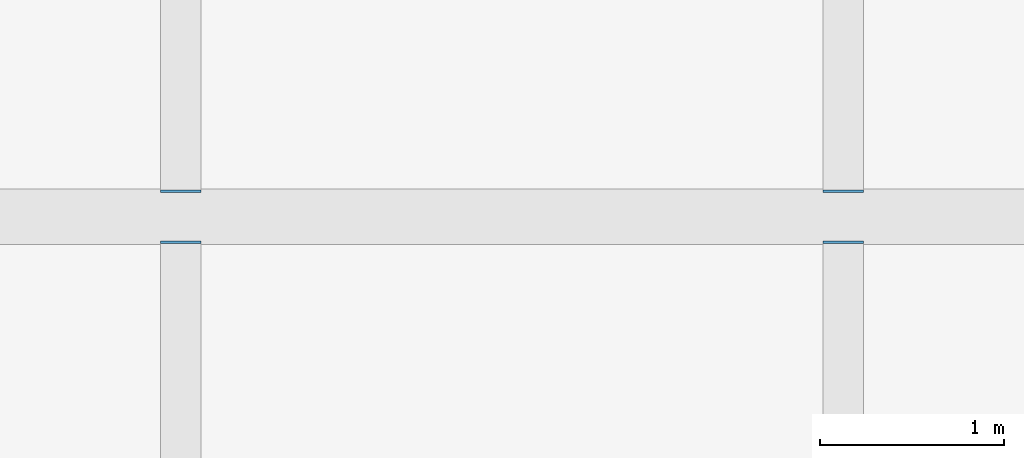
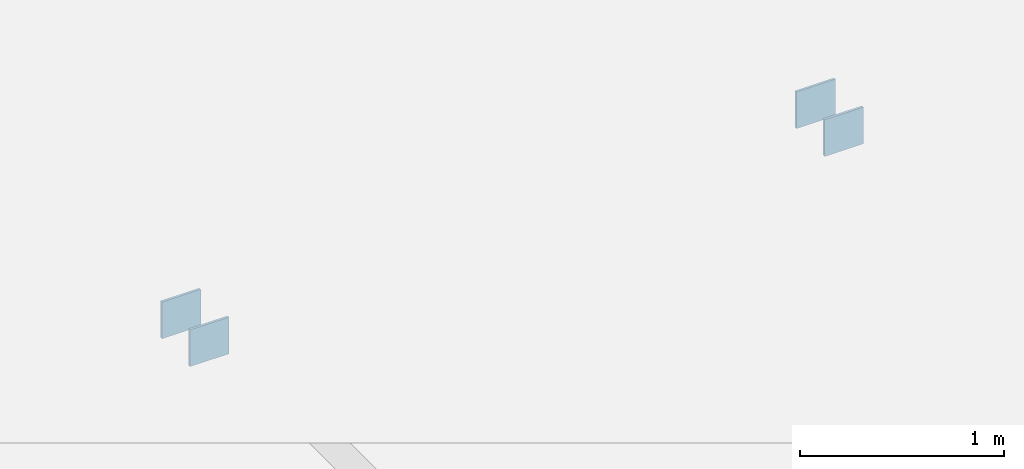
# One storey, part 72 of 92: 4 plates.
"""IFC4 building model written with IfcOpenShell, lengths in metres."""

from ifc_helpers import new_model, si_unit, direction, frame, origin, origin_2d, place, context, subcontext, project, spatial, rectangle, extrude, material, layer, layer_set, type_object, element, save


model = new_model("IFC4")

# Units and contexts
model_context = context("Model", 3, precision=1e-05, world=origin(), true_north=direction((0.0, 1.0)))
body_context = subcontext(model_context, "Body", "Model", "MODEL_VIEW")
ifc_project = project(units=[si_unit("LENGTHUNIT", "METRE"), si_unit("AREAUNIT", "SQUARE_METRE"), si_unit("VOLUMEUNIT", "CUBIC_METRE"), si_unit("PLANEANGLEUNIT", "RADIAN"), si_unit("MASSUNIT", "GRAM", prefix="KILO")], contexts=[model_context])

# Site, building, storey
site_placement = place(None, origin())
site = spatial("IfcSite", under=ifc_project, at=site_placement, CompositionType="ELEMENT")
building_placement = place(site_placement, origin())
building = spatial("IfcBuilding", under=site, at=building_placement, Name="Tasgan Crest Museum", CompositionType="ELEMENT")
storey_placement = place(building_placement, frame((0.0, 0.0, 4.800048828125)))
storey = spatial("IfcBuildingStorey", under=building, at=storey_placement, Name="L01", CompositionType="ELEMENT", Elevation=4.800048828125)

# Plates
ifc_material = material(Name="Steel S355K2", Category="steel")
ifc_layer = layer(ifc_material, 0.219970703125, Name="PL-CAP-14x220x220")
ifc_layer_set = layer_set([ifc_layer], Name="Steel S355K2")
plate_type = type_object("IfcPlateType", Name="PL-CAP-14x220x220", PredefinedType="USERDEFINED", material=ifc_layer_set)
for number, where, z_axis, x_axis, name in (
    (1, (57.60009765625, 102.137939453125, -0.4599609375), (0.0, 0.0, 1.0), (0.0, 1.0, 0.0), "End plate Secondary joist L01 X=57.6 Y=102.0-112.0 end A"),
    (2, (61.199951171875, 102.137939453125, -0.4599609375), (0.0, 0.0, 1.0), (0.0, 1.0, 0.0), "End plate Secondary joist L01 X=61.2 Y=102.0-112.0 end A"),
    (3, (57.60009765625, 101.862060546875, -0.4599609375), (0.0, 0.0, 1.0), (0.0, 1.0, 0.0), "End plate Secondary joist L01 X=57.6 Y=92.0-102.0 end B"),
    (4, (61.199951171875, 101.862060546875, -0.4599609375), (0.0, 0.0, 1.0), (0.0, 1.0, 0.0), "End plate Secondary joist L01 X=61.2 Y=92.0-102.0 end B"),
):
    element("IfcPlate", number, at=place(storey_placement, frame(where, z_axis=z_axis, x_axis=x_axis)), inside=storey, type_object=plate_type, Name=name, ObjectType="END PLATE", PredefinedType="USERDEFINED", context=body_context, shape_type="SweptSolid", body=[
        extrude(rectangle(XDim=0.013916015625, YDim=0.219970703125, at=origin_2d()), origin(), (0.0, 0.0, 1.0), 0.219970703125),
    ])

save(model, "model.ifc")
